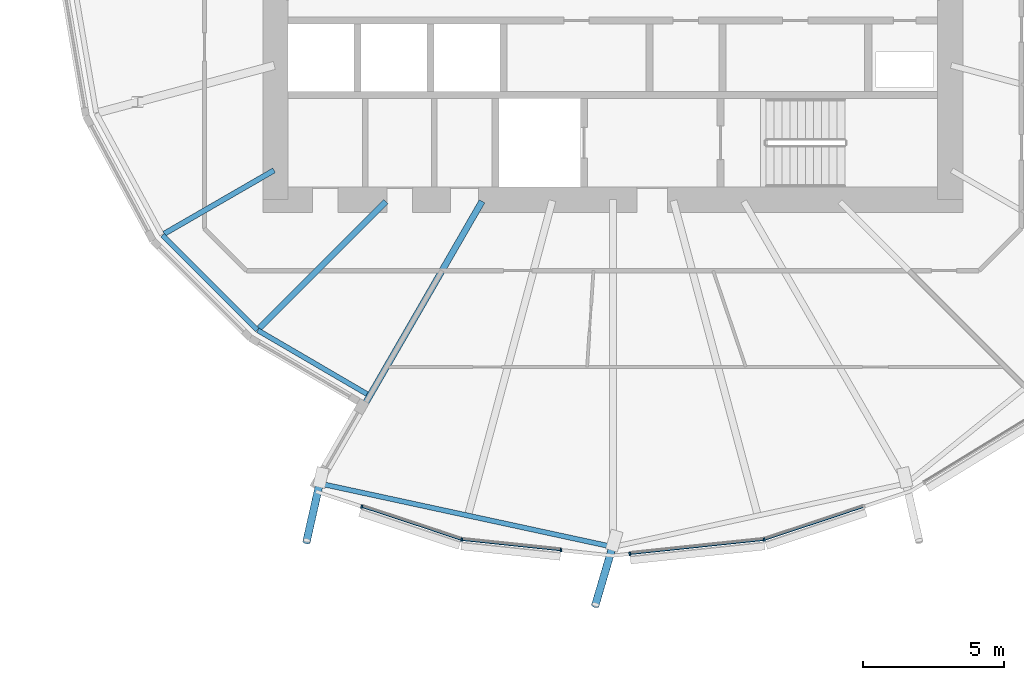
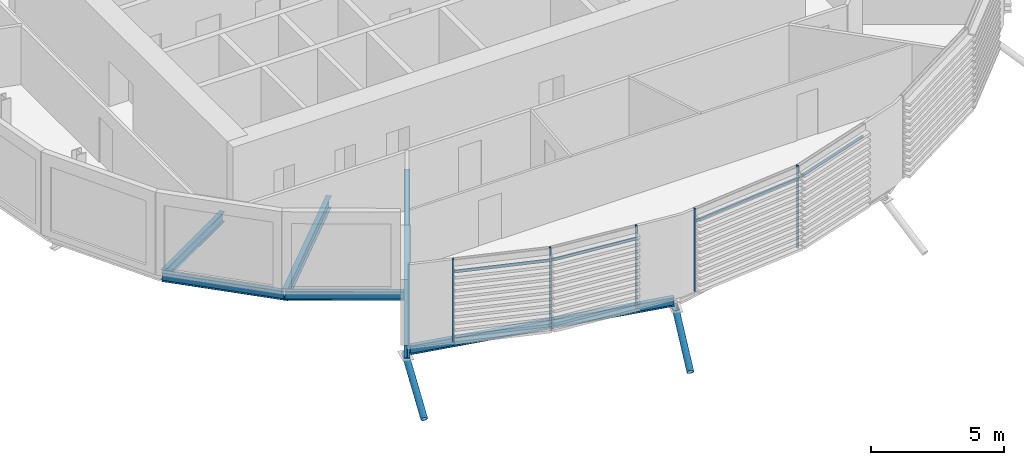
# One storey, part 3 of 38: 11 members, 6 beams, 1 element without a shape of its own.
"""IFC4 building model written with IfcOpenShell, lengths in metres."""

import ifcopenshell
import ifcopenshell.guid

model = None  # the IFC model being written
_history = None  # IfcOwnerHistory: only IFC2X3 demands one
_inside = {}  # id of a spatial element -> (the spatial element, [elements in it])
_under = {}  # id of a project, library or spatial element -> (it, [spatial elements below it])
_declared = {}  # id of a project -> (the project, [libraries it declares])
_typed = {}  # id of a type object -> (the type object, [elements of that type])
_made_of = {}  # id of a material, layer set ... -> (it, [elements and type objects made of it])


def new_model(schema):
    """Start an empty IFC model of exactly this schema.

    Asked for "IFC4X3", IfcOpenShell would pick the latest addendum, in which some entities
    have other attributes; the version numbers below select the first issue.
    IFC2X3 requires an IfcOwnerHistory on every rooted entity: one is made here for all.
    """
    global model, _history
    if schema == "IFC4X3":
        model = ifcopenshell.file(schema_version=(4, 3, 0, 0))
    else:
        model = ifcopenshell.file(schema=schema)
    _inside.clear()
    _under.clear()
    _declared.clear()
    _typed.clear()
    _made_of.clear()
    _history = None
    if model.schema == "IFC2X3":
        org = make("IfcOrganization", Name="unknown")
        user = make(
            "IfcPersonAndOrganization",
            ThePerson=make("IfcPerson", FamilyName="unknown"),
            TheOrganization=org,
        )
        app = make(
            "IfcApplication",
            ApplicationDeveloper=org,
            Version="unknown",
            ApplicationFullName="unknown",
            ApplicationIdentifier="unknown",
        )
        _history = make(
            "IfcOwnerHistory",
            OwningUser=user,
            OwningApplication=app,
            ChangeAction="ADDED",
            CreationDate=0,
        )
    return model


def make(cls, **values):
    """One entity of the class cls with the attributes given. An attribute that is None is left unset."""
    return model.create_entity(
        cls, **{name: value for name, value in values.items() if value is not None}
    )


def rooted(cls, **values):
    """An entity with a GlobalId (a new one), such as an element, a storey or a relation."""
    return make(cls, GlobalId=ifcopenshell.guid.new(), OwnerHistory=_history, **values)


def si_unit(unit_type, name, prefix=None):
    """IfcSIUnit, for example si_unit("LENGTHUNIT", "METRE", prefix="MILLI")."""
    return make("IfcSIUnit", UnitType=unit_type, Prefix=prefix, Name=name)


def assignment(units):
    """IfcUnitAssignment: the units of a project."""
    return None if units is None else make("IfcUnitAssignment", Units=units)


def point(xyz):
    """IfcCartesianPoint."""
    return None if xyz is None else make("IfcCartesianPoint", Coordinates=xyz)


def direction(xyz):
    """IfcDirection."""
    return None if xyz is None else make("IfcDirection", DirectionRatios=xyz)


def frame(location, z_axis=None, x_axis=None):
    """IfcAxis2Placement3D, a coordinate frame: its origin and axes. An axis left out is left unset."""
    return make(
        "IfcAxis2Placement3D",
        Location=point(location),
        Axis=direction(z_axis),
        RefDirection=direction(x_axis),
    )


def frame_2d(location, x_axis=None):
    """IfcAxis2Placement2D, a coordinate frame in the plane: its origin and x axis."""
    return make(
        "IfcAxis2Placement2D", Location=point(location), RefDirection=direction(x_axis)
    )


def origin():
    """The frame at (0, 0, 0) with its axes left unset."""
    return frame((0.0, 0.0, 0.0))


def origin_2d():
    """The frame at (0, 0) in the plane with its x axis left unset."""
    return frame_2d((0.0, 0.0))


def place(relative_to, where):
    """IfcLocalPlacement: puts the frame where relative to a parent placement (None: the world)."""
    return make(
        "IfcLocalPlacement", PlacementRelTo=relative_to, RelativePlacement=where
    )


def context(
    kind, dimensions, precision=None, world=None, true_north=None, identifier=None
):
    """IfcGeometricRepresentationContext, for example the 3D "Model" context."""
    return make(
        "IfcGeometricRepresentationContext",
        ContextIdentifier=identifier,
        ContextType=kind,
        CoordinateSpaceDimension=dimensions,
        Precision=precision,
        WorldCoordinateSystem=world,
        TrueNorth=true_north,
    )


def subcontext(parent, identifier, kind, view, scale=None):
    """IfcGeometricRepresentationSubContext, for example "Body" below "Model"."""
    return make(
        "IfcGeometricRepresentationSubContext",
        ContextIdentifier=identifier,
        ContextType=kind,
        ParentContext=parent,
        TargetScale=scale,
        TargetView=view,
    )


def project(units=None, contexts=None):
    """IfcProject with its units and contexts."""
    return rooted(
        "IfcProject",
        Name="project",
        RepresentationContexts=contexts,
        UnitsInContext=assignment(units),
    )


def spatial(cls, under=None, at=None, **own):
    """A site, building, storey or space (cls), placed at a placement, below another one or the project."""
    s = rooted(cls, ObjectPlacement=at, **own)
    if under is not None:
        _under.setdefault(under.id(), (under, []))[1].append(s)
    return s


def profile(cls, at=None, kind="AREA", **sizes):
    """A parametric profile (cls). Its sizes go by their IFC names, for example OverallWidth=200.0."""
    return make(cls, ProfileType=kind, Position=at, **sizes)


def rectangle(**sizes):
    """IfcRectangleProfileDef."""
    return profile("IfcRectangleProfileDef", **sizes)


def hollow_circle(**sizes):
    """IfcCircleHollowProfileDef."""
    return profile("IfcCircleHollowProfileDef", **sizes)


def i_section(**sizes):
    """IfcIShapeProfileDef."""
    return profile("IfcIShapeProfileDef", **sizes)


def extrude(swept, where, along, depth):
    """IfcExtrudedAreaSolid: the profile swept, set in the frame where, extruded along a direction by depth."""
    return make(
        "IfcExtrudedAreaSolid",
        SweptArea=swept,
        Position=where,
        ExtrudedDirection=direction(along),
        Depth=depth,
    )


def clip(a, b, op="DIFFERENCE"):
    """IfcBooleanClippingResult: the solid a cut by the half space b."""
    return make(
        "IfcBooleanClippingResult", Operator=op, FirstOperand=a, SecondOperand=b
    )


def halfspace(plane, agree):
    """IfcHalfSpaceSolid: all space on one side of the plane z = 0 of the frame plane."""
    return make(
        "IfcHalfSpaceSolid",
        BaseSurface=make("IfcPlane", Position=plane),
        AgreementFlag=agree,
    )


def shape(context_of_items, identifier, shape_type, items):
    """IfcShapeRepresentation: the items that make up one representation, for example the "Body"."""
    return make(
        "IfcShapeRepresentation",
        ContextOfItems=context_of_items,
        RepresentationIdentifier=identifier,
        RepresentationType=shape_type,
        Items=items,
    )


def material(Name=None, Category=None):
    """IfcMaterial."""
    return make("IfcMaterial", Name=Name, Category=Category)


def material_profile(
    of_material, cross_section, Name=None, Category=None, Priority=None
):
    """IfcMaterialProfile: a cross section and its material."""
    return make(
        "IfcMaterialProfile",
        Name=Name,
        Material=of_material,
        Profile=cross_section,
        Priority=Priority,
        Category=Category,
    )


def profile_set(profiles, Name=None, composite=None):
    """IfcMaterialProfileSet."""
    return make(
        "IfcMaterialProfileSet",
        Name=Name,
        MaterialProfiles=profiles,
        CompositeProfile=composite,
    )


def made_of(thing, what):
    """Note that an element or type object is made of a material, layer set ...; save() writes the relation."""
    if what is not None:
        _made_of.setdefault(what.id(), (what, []))[1].append(thing)
    return thing


def type_object(cls, material=None, **own):
    """A type object (cls), such as IfcWallType, which elements share."""
    return made_of(rooted(cls, **own), material)


def element(
    cls,
    number,
    at=None,
    inside=None,
    cuts=None,
    type_object=None,
    material=None,
    context=None,
    identifier="Body",
    shape_type=None,
    held_by="IfcProductDefinitionShape",
    body=None,
    shapes=None,
    **own,
):
    """One element of the class cls, such as IfcWall. Its Tag is "e" and its number.

    at: its placement. inside: the storey or other place that contains it. cuts: it is an
    opening in that element (IfcRelVoidsElement). A single representation is given by context,
    identifier, shape_type and body (its items); several are given by shapes. held_by: the class
    of the entity that holds the representations. save() writes the other relations.
    """
    e = rooted(cls, Tag="e%d" % number, ObjectPlacement=at, **own)
    if body is not None:
        shapes = [shape(context, identifier, shape_type, body)]
    if shapes is not None:
        e.Representation = make(held_by, Representations=shapes)
    if inside is not None:
        _inside.setdefault(inside.id(), (inside, []))[1].append(e)
    if cuts is not None:
        rooted(
            "IfcRelVoidsElement", RelatingBuildingElement=cuts, RelatedOpeningElement=e
        )
    if type_object is not None:
        _typed.setdefault(type_object.id(), (type_object, []))[1].append(e)
    return made_of(e, material)


def aggregate(whole, parts):
    """IfcRelAggregates: a whole, such as a stair, and the parts it consists of."""
    return rooted("IfcRelAggregates", RelatingObject=whole, RelatedObjects=parts)


def save(model, path):
    """Write the relations noted so far, then the file.

    IfcRelAggregates (storeys below a building ...), IfcRelContainedInSpatialStructure (elements
    in a storey), IfcRelDefinesByType, IfcRelAssociatesMaterial and IfcRelDeclares: one each for
    every whole, place, type object, material and project.
    """
    for whole, parts in _under.values():
        aggregate(whole, parts)
    for where, things in _inside.values():
        rooted(
            "IfcRelContainedInSpatialStructure",
            RelatedElements=things,
            RelatingStructure=where,
        )
    for kind, things in _typed.values():
        rooted("IfcRelDefinesByType", RelatedObjects=things, RelatingType=kind)
    for what, things in _made_of.values():
        rooted("IfcRelAssociatesMaterial", RelatedObjects=things, RelatingMaterial=what)
    for by, libraries in _declared.values():
        rooted("IfcRelDeclares", RelatingContext=by, RelatedDefinitions=libraries)
    model.write(path)


model = new_model("IFC4")

# Units and contexts
model_context = context("Model", 3, precision=1e-05, world=origin(), true_north=direction((0.0, 1.0)))
body_context = subcontext(model_context, "Body", "Model", "MODEL_VIEW")
ifc_project = project(units=[si_unit("LENGTHUNIT", "METRE"), si_unit("AREAUNIT", "SQUARE_METRE"), si_unit("VOLUMEUNIT", "CUBIC_METRE"), si_unit("PLANEANGLEUNIT", "RADIAN"), si_unit("MASSUNIT", "GRAM", prefix="KILO")], contexts=[model_context])

# Site, building, storey
site_placement = place(None, origin())
site = spatial("IfcSite", under=ifc_project, at=site_placement, CompositionType="ELEMENT")
building_placement = place(site_placement, origin())
building = spatial("IfcBuilding", under=site, at=building_placement, Name="Rimbun Link Towers", CompositionType="ELEMENT")
storey_placement = place(building_placement, frame((0.0, 0.0, 56.60009765625)))
storey = spatial("IfcBuildingStorey", under=building, at=storey_placement, Name="L13", CompositionType="ELEMENT", Elevation=56.60009765625)

# Curtain wall, members
ifc_material_1 = material(Name="Aluminium 6063-T6 and low-iron glass", Category="aluminium")
curtain_wall_type = type_object("IfcCurtainWallType", Name="CW1 unitised vision wall", PredefinedType="NOTDEFINED", material=ifc_material_1)
curtain_wall_placement = place(storey_placement, origin())
curtain_wall = element("IfcCurtainWall", 1, at=curtain_wall_placement, inside=storey, type_object=curtain_wall_type, Name="CW1 L13 T1", PredefinedType="NOTDEFINED")
ifc_material_2 = material(Name="Aluminium 6063-T6", Category="aluminium")
ifc_material_profile_1 = material_profile(ifc_material_2, rectangle(XDim=0.1201171875, YDim=0.06005859375, at=origin_2d()), Name="MULLION 60X120")
ifc_profile_set_1 = profile_set([ifc_material_profile_1], Name="Aluminium 6063-T6")
member_type_1 = type_object("IfcMemberType", Name="CW1 mullion 60X120", PredefinedType="MULLION", material=ifc_profile_set_1)
member_1_placement = place(storey_placement, frame((-37.130615234375, -20.09228515625, 0.0), z_axis=(0.0, 0.0, 1.0), x_axis=(-0.210873842747, -0.977513285048, 0.0)))
member_1 = element("IfcMember", 2, at=member_1_placement, type_object=member_type_1, Name="CW1 mullion", PredefinedType="MULLION", context=body_context, shape_type="SweptSolid", body=[
    extrude(rectangle(XDim=0.1201171875, YDim=0.06005859375, at=origin_2d()), origin(), (0.0, 0.0, 1.0), 3.7998046875),
])
member_2_placement = place(storey_placement, frame((-40.6787109375, -18.9169921875, 0.0), z_axis=(0.0, 0.0, 1.0), x_axis=(-0.314563424855, -0.949236457235, 0.0)))
member_2 = element("IfcMember", 3, at=member_2_placement, type_object=member_type_1, Name="CW1 mullion", PredefinedType="MULLION", context=body_context, shape_type="SweptSolid", body=[
    extrude(rectangle(XDim=0.1201171875, YDim=0.06005859375, at=origin_2d()), origin(), (0.0, 0.0, 1.0), 3.7998046875),
])
member_3_placement = place(storey_placement, frame((-33.59619140625, -20.465087890625, 0.0), z_axis=(0.0, 0.0, 1.0), x_axis=(-0.104748434017, -0.994498750915, 0.0)))
member_3 = element("IfcMember", 4, at=member_3_placement, type_object=member_type_1, Name="CW1 mullion", PredefinedType="MULLION", context=body_context, shape_type="SweptSolid", body=[
    extrude(rectangle(XDim=0.1201171875, YDim=0.06005859375, at=origin_2d()), origin(), (0.0, 0.0, 1.0), 3.7998046875),
])
member_4_placement = place(storey_placement, frame((-26.369384765625, -20.09228515625, 0.0), z_axis=(0.0, 0.0, 1.0), x_axis=(0.210873842747, -0.977513285048, 0.0)))
member_4 = element("IfcMember", 5, at=member_4_placement, type_object=member_type_1, Name="CW1 mullion", PredefinedType="MULLION", context=body_context, shape_type="SweptSolid", body=[
    extrude(rectangle(XDim=0.1201171875, YDim=0.06005859375, at=origin_2d()), origin(), (0.0, 0.0, 1.0), 3.7998046875),
])
member_5_placement = place(storey_placement, frame((-31.14697265625, -20.595947265625, 0.0), z_axis=(0.0, 0.0, 1.0), x_axis=(0.104748434017, -0.994498750915, 0.0)))
member_5 = element("IfcMember", 6, at=member_5_placement, type_object=member_type_1, Name="CW1 mullion", PredefinedType="MULLION", context=body_context, shape_type="SweptSolid", body=[
    extrude(rectangle(XDim=0.1201171875, YDim=0.06005859375, at=origin_2d()), origin(), (0.0, 0.0, 1.0), 3.7998046875),
])
ifc_material_3 = material(Name="Aluminium 6063-T6", Category="aluminium")
ifc_material_profile_2 = material_profile(ifc_material_3, rectangle(XDim=0.06005859375, YDim=0.1201171875, at=origin_2d()), Name="TRANSOM 60X120")
ifc_profile_set_2 = profile_set([ifc_material_profile_2], Name="Aluminium 6063-T6")
member_type_2 = type_object("IfcMemberType", Name="CW1 transom 60X120", PredefinedType="USERDEFINED", material=ifc_profile_set_2)
member_6_placement = place(storey_placement, frame((-37.164794921875, -20.079345703125, 3.199951171875), z_axis=(-0.949240429316, 0.314551438326, 0.0), x_axis=(-0.314551438326, -0.949240429316, 0.0)))
member_6 = element("IfcMember", 7, at=member_6_placement, type_object=member_type_2, Name="CW1 transom", ObjectType="TRANSOM", PredefinedType="USERDEFINED", context=body_context, shape_type="SweptSolid", body=[
    extrude(rectangle(XDim=0.06005859375, YDim=0.1201171875, at=origin_2d()), origin(), (0.0, 0.0, 1.0), 3.671142578125),
])
member_7_placement = place(storey_placement, frame((-33.625732421875, -20.4599609375, 3.199951171875), z_axis=(-0.994494323971, 0.104790455619, 0.0), x_axis=(-0.104790455619, -0.994494323971, 0.0)))
member_7 = element("IfcMember", 8, at=member_7_placement, type_object=member_type_2, Name="CW1 transom", ObjectType="TRANSOM", PredefinedType="USERDEFINED", context=body_context, shape_type="SweptSolid", body=[
    extrude(rectangle(XDim=0.06005859375, YDim=0.1201171875, at=origin_2d()), origin(), (0.0, 0.0, 1.0), 3.48779296875),
])
member_8_placement = place(storey_placement, frame((-26.40576171875, -20.094482421875, 3.199951171875), z_axis=(-0.994497261387, -0.104762574869, 0.0), x_axis=(0.104762574869, -0.994497261387, 0.0)))
member_8 = element("IfcMember", 9, at=member_8_placement, type_object=member_type_2, Name="CW1 transom", ObjectType="TRANSOM", PredefinedType="USERDEFINED", context=body_context, shape_type="SweptSolid", body=[
    extrude(rectangle(XDim=0.06005859375, YDim=0.1201171875, at=origin_2d()), origin(), (0.0, 0.0, 1.0), 4.73779296875),
])
member_9_placement = place(storey_placement, frame((-22.850341796875, -18.924560546875, 3.199951171875), z_axis=(-0.949240429316, -0.314551438326, 0.0), x_axis=(0.314551438326, -0.949240429316, 0.0)))
member_9 = element("IfcMember", 10, at=member_9_placement, type_object=member_type_2, Name="CW1 transom", ObjectType="TRANSOM", PredefinedType="USERDEFINED", context=body_context, shape_type="SweptSolid", body=[
    extrude(rectangle(XDim=0.06005859375, YDim=0.1201171875, at=origin_2d()), origin(), (0.0, 0.0, 1.0), 3.671142578125),
])
aggregate(curtain_wall, [member_1, member_2, member_3, member_4, member_5, member_6, member_7, member_8, member_9])

# Members
ifc_material_4 = material(Name="Steel S355J2H", Category="steel")
ifc_material_profile_3 = material_profile(ifc_material_4, hollow_circle(Radius=0.136474609375, WallThickness=0.012451171875, at=origin_2d()), Name="CHS 273x12.5")
ifc_profile_set_3 = profile_set([ifc_material_profile_3], Name="Steel S355J2H")
member_type_3 = type_object("IfcMemberType", Name="Floor edge link CHS 273x12.5", PredefinedType="BRACE", material=ifc_profile_set_3)
member_10_placement = place(storey_placement, frame((-42.16845703125, -18.045166015625, -0.880615234375), z_axis=(-0.190487395682, -0.845129727421, -0.499470015032), x_axis=(0.975527318189, -0.21987826511, 0.0)))
element("IfcMember", 11, at=member_10_placement, inside=storey, type_object=member_type_3, Name="Floor edge link T1 L13 16", PredefinedType="BRACE", context=body_context, shape_type="Clipping", body=[
    clip(extrude(hollow_circle(Radius=0.136474609375, WallThickness=0.012451171875, at=origin_2d()), frame((0.0, 0.0, -0.493408203125)), (0.0, 0.0, 1.0), 3.0029296875), halfspace(frame((0.0, 0.0, -0.232177734375), z_axis=(0.0, 0.8663311746, -0.499470015032)), False)),
])
member_11_placement = place(storey_placement, frame((-31.75, -20.297607421875, -0.962890625), z_axis=(-0.247837726944, -0.841131681335, -0.480701524606), x_axis=(0.95922768657, -0.28263447298, 0.0)))
element("IfcMember", 12, at=member_11_placement, inside=storey, type_object=member_type_3, Name="Floor edge link T1 L13 18", PredefinedType="BRACE", context=body_context, shape_type="Clipping", body=[
    clip(extrude(hollow_circle(Radius=0.136474609375, WallThickness=0.012451171875, at=origin_2d()), frame((0.0, 0.0, -0.518798828125)), (0.0, 0.0, 1.0), 3.062255859375), halfspace(frame((0.0, 0.0, -0.243896484375), z_axis=(0.0, 0.876884282127, -0.480701524606)), False)),
])

# Beams
ifc_material_5 = material(Name="Steel S355J2", Category="steel")
ifc_material_profile_4 = material_profile(ifc_material_5, i_section(OverallWidth=0.177978515625, OverallDepth=0.406494140625, WebThickness=0.0078125, FlangeThickness=0.0126953125, at=origin_2d()), Name="UB 406x178x60")
ifc_profile_set_4 = profile_set([ifc_material_profile_4], Name="Steel S355J2")
beam_type_1 = type_object("IfcBeamType", Name="UB 406x178x60", PredefinedType="BEAM", material=ifc_profile_set_4)
beam_1_placement = place(storey_placement, frame((-47.771728515625, -9.265869140625, -0.36328125), z_axis=(0.708488894937, -0.705721960655, 0.0), x_axis=(0.705721960655, 0.708488894937, 0.0)))
element("IfcBeam", 13, at=beam_1_placement, inside=storey, type_object=beam_type_1, Name="Edge beam T1 L13 14 recess", PredefinedType="BEAM", context=body_context, shape_type="SweptSolid", body=[
    extrude(i_section(OverallWidth=0.177978515625, OverallDepth=0.406494140625, WebThickness=0.0078125, FlangeThickness=0.0126953125, at=origin_2d()), origin(), (0.0, 0.0, 1.0), 4.7646484375),
])
beam_2_placement = place(storey_placement, frame((-44.376708984375, -12.6435546875, -0.36328125), z_axis=(0.86353863643, -0.504282682028, 0.0), x_axis=(0.504282682028, 0.86353863643, 0.0)))
element("IfcBeam", 14, at=beam_2_placement, inside=storey, type_object=beam_type_1, Name="Edge beam T1 L13 15 recess", PredefinedType="BEAM", context=body_context, shape_type="SweptSolid", body=[
    extrude(i_section(OverallWidth=0.177978515625, OverallDepth=0.406494140625, WebThickness=0.0078125, FlangeThickness=0.0126953125, at=origin_2d()), origin(), (0.0, 0.0, 1.0), 4.498046875),
])
beam_3_placement = place(storey_placement, frame((-42.07568359375, -18.114013671875, -0.36328125), z_axis=(0.977392737339, -0.21143187318, 0.0), x_axis=(0.21143187318, 0.977392737339, 0.0)))
element("IfcBeam", 15, at=beam_3_placement, inside=storey, type_object=beam_type_1, Name="Edge beam T1 L13 16-18", PredefinedType="BEAM", context=body_context, shape_type="SweptSolid", body=[
    extrude(i_section(OverallWidth=0.177978515625, OverallDepth=0.406494140625, WebThickness=0.0078125, FlangeThickness=0.0126953125, at=origin_2d()), origin(), (0.0, 0.0, 1.0), 10.433837890625),
])
ifc_material_6 = material(Name="Steel S355J2", Category="steel")
ifc_material_profile_5 = material_profile(ifc_material_6, i_section(OverallWidth=0.18994140625, OverallDepth=0.453369140625, WebThickness=0.008544921875, FlangeThickness=0.0126953125, at=origin_2d()), Name="UB 457x191x67")
ifc_profile_set_5 = profile_set([ifc_material_profile_5], Name="Steel S355J2")
beam_type_2 = type_object("IfcBeamType", Name="UB 457x191x67", PredefinedType="BEAM", material=ifc_profile_set_5)
beam_4_placement = place(storey_placement, frame((-43.79833984375, -6.9560546875, -0.38671875), z_axis=(-0.866005244555, -0.500034915185, 0.0), x_axis=(0.500034915185, -0.866005244555, 0.0)))
element("IfcBeam", 16, at=beam_4_placement, inside=storey, type_object=beam_type_2, Name="Radial beam T1 L13 14", PredefinedType="BEAM", context=body_context, shape_type="SweptSolid", body=[
    extrude(i_section(OverallWidth=0.18994140625, OverallDepth=0.453369140625, WebThickness=0.008544921875, FlangeThickness=0.0126953125, at=origin_2d()), origin(), (0.0, 0.0, 1.0), 4.509033203125),
])
ifc_material_7 = material(Name="Steel S355J2", Category="steel")
ifc_material_profile_6 = material_profile(ifc_material_7, i_section(OverallWidth=0.209228515625, OverallDepth=0.533203125, WebThickness=0.010009765625, FlangeThickness=0.015625, at=origin_2d()), Name="UB 533x210x92")
ifc_profile_set_6 = profile_set([ifc_material_profile_6], Name="Steel S355J2")
beam_type_3 = type_object("IfcBeamType", Name="UB 533x210x92", PredefinedType="BEAM", material=ifc_profile_set_6)
beam_5_placement = place(storey_placement, frame((-39.82470703125, -8.07470703125, -0.426513671875), z_axis=(-0.707106781187, -0.707106781187, 0.0), x_axis=(0.707106781187, -0.707106781187, 0.0)))
element("IfcBeam", 17, at=beam_5_placement, inside=storey, type_object=beam_type_3, Name="Radial beam T1 L13 15", PredefinedType="BEAM", context=body_context, shape_type="SweptSolid", body=[
    extrude(i_section(OverallWidth=0.209228515625, OverallDepth=0.533203125, WebThickness=0.010009765625, FlangeThickness=0.015625, at=origin_2d()), origin(), (0.0, 0.0, 1.0), 6.36181640625),
])
ifc_material_8 = material(Name="Steel S355J2", Category="steel")
ifc_material_profile_7 = material_profile(ifc_material_8, i_section(OverallWidth=0.2275390625, OverallDepth=0.6025390625, WebThickness=0.010498046875, FlangeThickness=0.014892578125, at=origin_2d()), Name="UB 610x229x101")
ifc_profile_set_7 = profile_set([ifc_material_profile_7], Name="Steel S355J2")
beam_type_4 = type_object("IfcBeamType", Name="UB 610x229x101", PredefinedType="BEAM", material=ifc_profile_set_7)
beam_6_placement = place(storey_placement, frame((-36.402099609375, -8.057861328125, -0.46142578125), z_axis=(-0.500008919292, -0.866020254168, 0.0), x_axis=(0.866020254168, -0.500008919292, 0.0)))
element("IfcBeam", 18, at=beam_6_placement, inside=storey, type_object=beam_type_4, Name="Radial beam T1 L13 16", PredefinedType="BEAM", context=body_context, shape_type="SweptSolid", body=[
    extrude(i_section(OverallWidth=0.2275390625, OverallDepth=0.6025390625, WebThickness=0.010498046875, FlangeThickness=0.014892578125, at=origin_2d()), origin(), (0.0, 0.0, 1.0), 11.582275390625),
])

save(model, "model.ifc")
